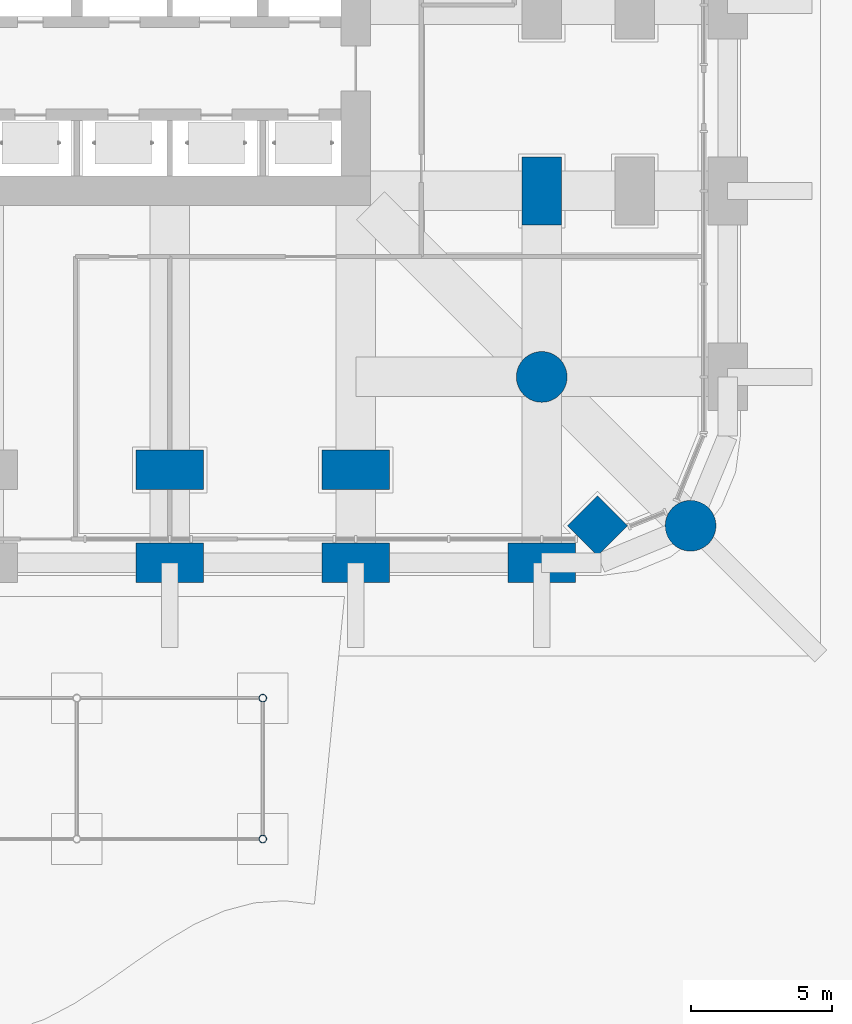
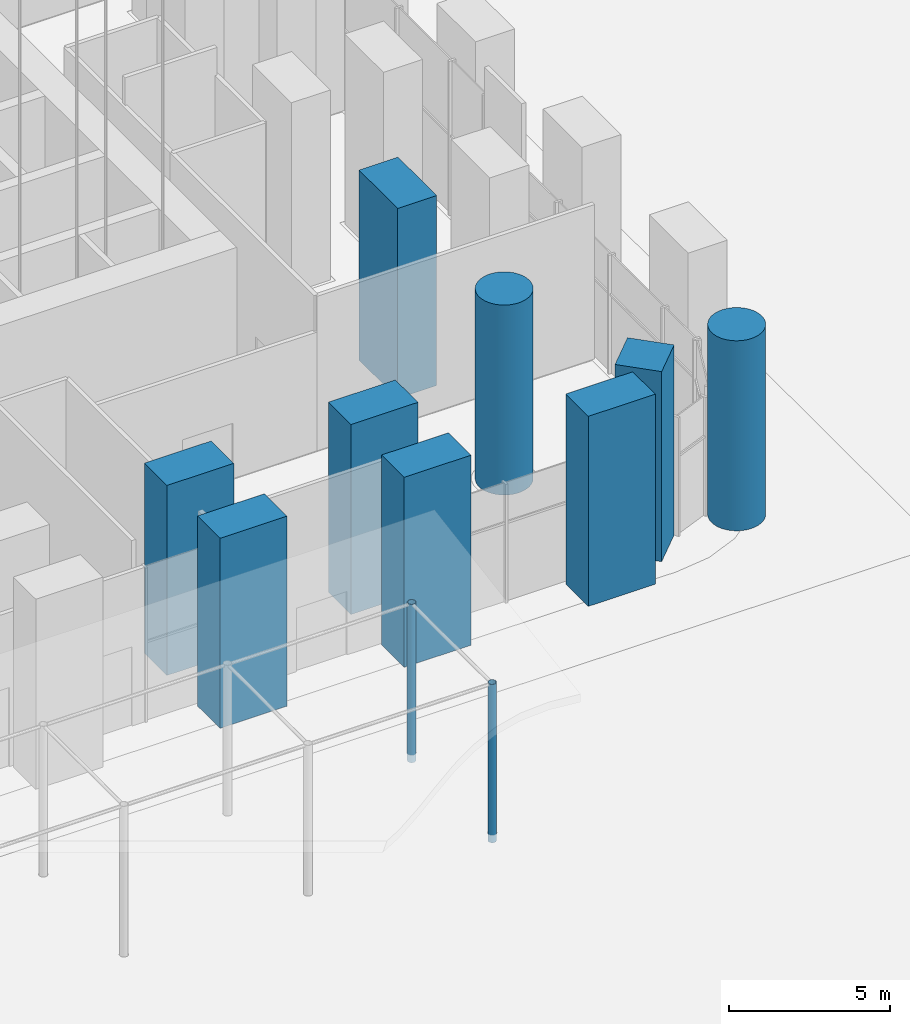
# One storey, part 4 of 32: 11 columns.
"""IFC4 building model written with IfcOpenShell, lengths in metres."""

from ifc_helpers import new_model, si_unit, direction, frame, origin, origin_2d, place, context, subcontext, project, spatial, rectangle, circle, hollow_circle, extrude, material, material_profile, profile_set, type_object, element, save


model = new_model("IFC4")

# Units and contexts
model_context = context("Model", 3, precision=1e-05, world=origin(), true_north=direction((0.0, 1.0)))
body_context = subcontext(model_context, "Body", "Model", "MODEL_VIEW")
ifc_project = project(units=[si_unit("LENGTHUNIT", "METRE"), si_unit("AREAUNIT", "SQUARE_METRE"), si_unit("VOLUMEUNIT", "CUBIC_METRE"), si_unit("PLANEANGLEUNIT", "RADIAN"), si_unit("MASSUNIT", "GRAM", prefix="KILO")], contexts=[model_context])

# Site, building, storey
site_placement = place(None, origin())
site = spatial("IfcSite", under=ifc_project, at=site_placement, CompositionType="ELEMENT")
building_placement = place(site_placement, origin())
building = spatial("IfcBuilding", under=site, at=building_placement, Name="Cobogo Forest Laboratory Tower", CompositionType="ELEMENT")
storey_placement = place(building_placement, origin())
storey = spatial("IfcBuildingStorey", under=building, at=storey_placement, Name="L00", CompositionType="ELEMENT", Elevation=0.0)

# Columns
ifc_material_1 = material(Name="Concrete HA-50 (C50/60)", Category="concrete")
ifc_material_profile_1 = material_profile(ifc_material_1, rectangle(XDim=2.39990234375, YDim=1.39990234375, at=origin_2d()), Name="RC 1400x2400")
ifc_profile_set_1 = profile_set([ifc_material_profile_1], Name="Concrete HA-50 (C50/60)")
column_type_1 = type_object("IfcColumnType", Name="Blade column 1400x2400", PredefinedType="COLUMN", material=ifc_profile_set_1)
for number, where, z_axis, x_axis, name in (
    (1, (33.0, 0.0, 0.0), (0.0, 0.0, 1.0), (1.0, 0.0, 0.0), "Column 6-A L00"),
    (2, (39.60009765625, 0.0, 0.0), (0.0, 0.0, 1.0), (1.0, 0.0, 0.0), "Column 7-A L00"),
    (3, (46.199951171875, 0.0, 0.0), (0.0, 0.0, 1.0), (1.0, 0.0, 0.0), "Column 8-A L00"),
    (4, (33.0, 3.300048828125, 0.0), (0.0, 0.0, 1.0), (1.0, 0.0, 0.0), "Column 6-A.1-C L00"),
    (5, (39.60009765625, 3.300048828125, 0.0), (0.0, 0.0, 1.0), (1.0, 0.0, 0.0), "Column 7-A.1-C L00"),
    (6, (46.199951171875, 13.199951171875, 0.0), (0.0, 0.0, 1.0), (0.0, 1.0, 0.0), "Column 8-C-D L00"),
):
    element("IfcColumn", number, at=place(storey_placement, frame(where, z_axis=z_axis, x_axis=x_axis)), inside=storey, type_object=column_type_1, Name=name, PredefinedType="COLUMN", context=body_context, shape_type="SweptSolid", body=[
        extrude(rectangle(XDim=2.39990234375, YDim=1.39990234375, at=origin_2d()), origin(), (0.0, 0.0, 1.0), 7.199951171875),
    ])
ifc_material_profile_2 = material_profile(ifc_material_1, rectangle(XDim=1.5, YDim=1.5, at=origin_2d()), Name="RC 1500x1500")
ifc_profile_set_2 = profile_set([ifc_material_profile_2], Name="Concrete HA-50 (C50/60)")
column_type_2 = type_object("IfcColumnType", Name="Column 1500x1500", PredefinedType="COLUMN", material=ifc_profile_set_2)
column_placement = place(storey_placement, frame((48.181884765625, 1.318115234375, 0.0), z_axis=(0.0, 0.0, 1.0), x_axis=(0.707106781187, 0.707106781187, 0.0)))
element("IfcColumn", 7, at=column_placement, inside=storey, type_object=column_type_2, Name="Column CNR-SE-B L00", PredefinedType="COLUMN", context=body_context, shape_type="SweptSolid", body=[
    extrude(rectangle(XDim=1.5, YDim=1.5, at=origin_2d()), origin(), (0.0, 0.0, 1.0), 7.199951171875),
])
ifc_material_2 = material(Name="Steel S355", Category="steel")
ifc_material_profile_3 = material_profile(ifc_material_2, hollow_circle(Radius=0.136474609375, WallThickness=0.010009765625, at=origin_2d()), Name="CHS 273x10")
ifc_profile_set_3 = profile_set([ifc_material_profile_3], Name="Steel S355")
column_type_3 = type_object("IfcColumnType", Name="Marquise column CHS 273x10", PredefinedType="COLUMN", material=ifc_profile_set_3)
for number, where, z_axis, x_axis, name in (
    (8, (36.300048828125, -4.800048828125, -0.300048828125), (0.0, 0.0, 1.0), (1.0, 0.0, 0.0), "Marquise column MQ4"),
    (9, (36.300048828125, -9.800048828125, -0.300048828125), (0.0, 0.0, 1.0), (1.0, 0.0, 0.0), "Marquise column MQ8"),
):
    element("IfcColumn", number, at=place(storey_placement, frame(where, z_axis=z_axis, x_axis=x_axis)), inside=storey, type_object=column_type_3, Name=name, PredefinedType="COLUMN", context=body_context, shape_type="SweptSolid", body=[
        extrude(hollow_circle(Radius=0.136474609375, WallThickness=0.010009765625, at=origin_2d()), origin(), (0.0, 0.0, 1.0), 6.0),
    ])
ifc_material_profile_4 = material_profile(ifc_material_1, circle(Radius=0.89990234375, at=origin_2d()), Name="RC D1800")
ifc_profile_set_4 = profile_set([ifc_material_profile_4], Name="Concrete HA-50 (C50/60)")
column_type_4 = type_object("IfcColumnType", Name="Pilotis column D1800", PredefinedType="COLUMN", material=ifc_profile_set_4)
for number, where, z_axis, x_axis, name in (
    (10, (51.48193359375, 1.318115234375, 0.0), (0.0, 0.0, 1.0), (1.0, 0.0, 0.0), "Column CNR-SE L00"),
    (11, (46.199951171875, 6.60009765625, 0.0), (0.0, 0.0, 1.0), (1.0, 0.0, 0.0), "Column 8-B L00"),
):
    element("IfcColumn", number, at=place(storey_placement, frame(where, z_axis=z_axis, x_axis=x_axis)), inside=storey, type_object=column_type_4, Name=name, PredefinedType="COLUMN", context=body_context, shape_type="SweptSolid", body=[
        extrude(circle(Radius=0.89990234375, at=origin_2d()), origin(), (0.0, 0.0, 1.0), 7.199951171875),
    ])

save(model, "model.ifc")
